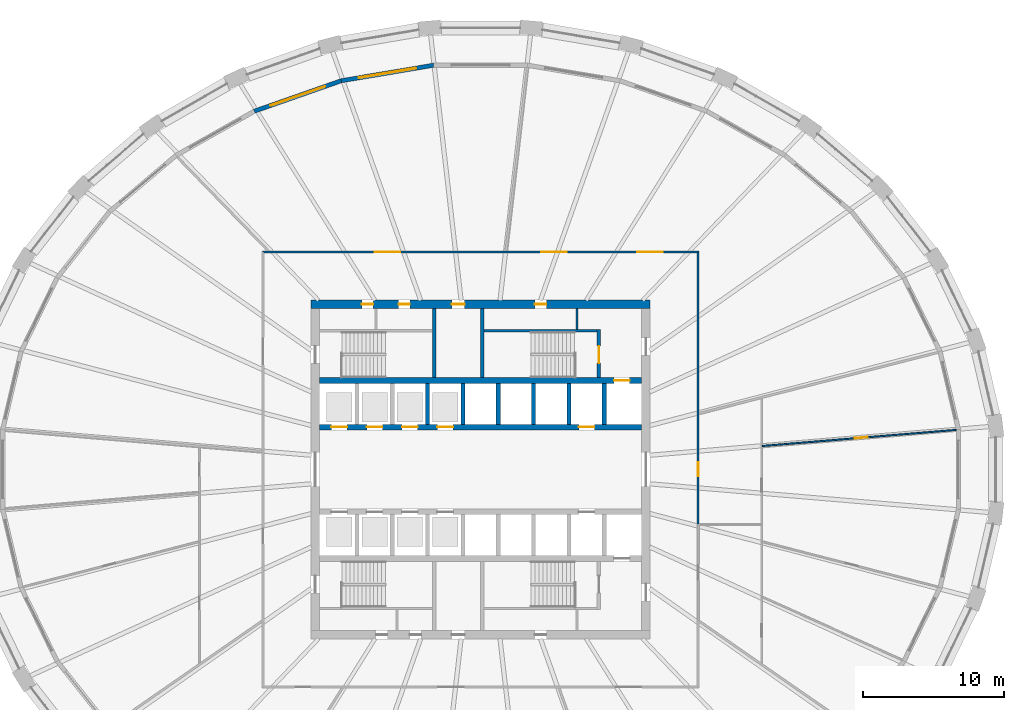
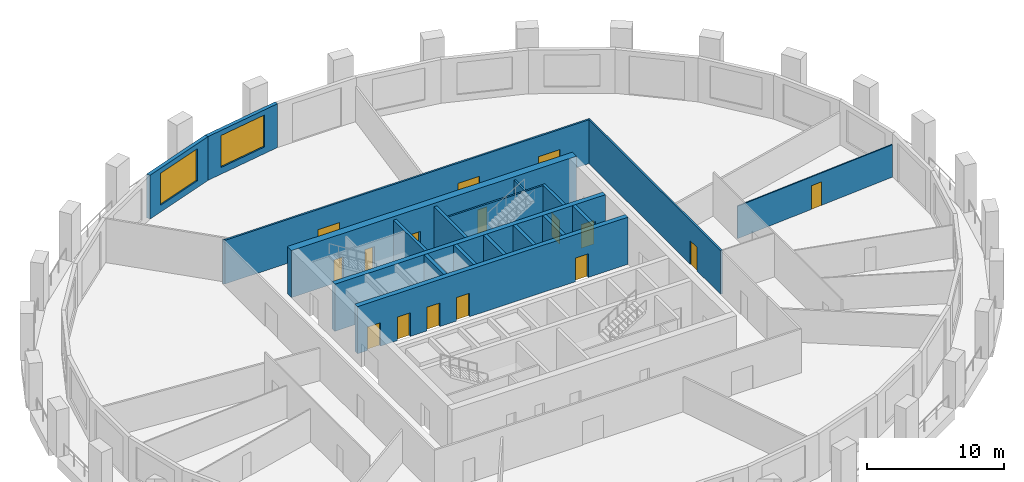
# One storey, part 6 of 11: 19 walls, 16 doors, 2 windows, 18 openings.
"""IFC4 building model written with IfcOpenShell, lengths in metres."""

from ifc_helpers import new_model, si_unit, direction, frame, frame_2d, origin, place, context, subcontext, project, spatial, polyline, rectangle, outline, extrude, material, layer, layer_set, type_object, element, fill, save


model = new_model("IFC4")

# Units and contexts
model_context = context("Model", 3, precision=1e-05, world=origin(), true_north=direction((0.0, 1.0)))
body_context = subcontext(model_context, "Body", "Model", "MODEL_VIEW")
ifc_project = project(units=[si_unit("LENGTHUNIT", "METRE"), si_unit("AREAUNIT", "SQUARE_METRE"), si_unit("VOLUMEUNIT", "CUBIC_METRE"), si_unit("PLANEANGLEUNIT", "RADIAN"), si_unit("MASSUNIT", "GRAM", prefix="KILO")], contexts=[model_context])

# Site, building, storey
site_placement = place(None, origin())
site = spatial("IfcSite", under=ifc_project, at=site_placement, CompositionType="ELEMENT")
building_placement = place(site_placement, origin())
building = spatial("IfcBuilding", under=site, at=building_placement, Name="Halqa Exchange Tower", CompositionType="ELEMENT")
storey_placement = place(building_placement, frame((0.0, 0.0, 73.89990234375)))
storey = spatial("IfcBuildingStorey", under=building, at=storey_placement, Name="L16", CompositionType="ELEMENT", Elevation=73.89990234375)

# Wall, openings, doors
ifc_material_1 = material(Name="Fire-rated gypsum board")
ifc_layer_1 = layer(ifc_material_1, 0.14990234375)
ifc_layer_set_1 = layer_set([ifc_layer_1], Name="Fire-rated gypsum board")
wall_type_1 = type_object("IfcWallType", Name="Fire partition EI 60 150", PredefinedType="PARTITIONING", material=ifc_layer_set_1)
wall_1_placement = place(storey_placement, frame((-15.47509765625, 15.39990234375, 0.0), z_axis=(0.0, 0.0, 1.0), x_axis=(1.0, 0.0, 0.0)))
wall_1 = element("IfcWall", 1, at=wall_1_placement, inside=storey, type_object=wall_type_1, Name="L16-PWL-008", PredefinedType="PARTITIONING", context=body_context, shape_type="SweptSolid", body=[
    extrude(outline(polyline([(0.150146484375, -0.074951171875), (2.065673828125, -0.074951171875), (3.9814453125, -0.074951171875), (5.89697265625, -0.074951171875), (7.8125, -0.074951171875), (9.728271484375, -0.074951171875), (11.643798828125, -0.074951171875), (13.5595703125, -0.074951171875), (15.47509765625, -0.074951171875), (17.390625, -0.074951171875), (19.306396484375, -0.074951171875), (21.221923828125, -0.074951171875), (23.1376953125, -0.074951171875), (25.05322265625, -0.074951171875), (26.96875, -0.074951171875), (28.884521484375, -0.074951171875), (30.800048828125, -0.074951171875), (30.949951171875, 0.074951171875), (29.015625, 0.074951171875), (27.081298828125, 0.074951171875), (25.14697265625, 0.074951171875), (23.21240234375, 0.074951171875), (21.278076171875, 0.074951171875), (19.34375, 0.074951171875), (17.409423828125, 0.074951171875), (15.47509765625, 0.074951171875), (13.540771484375, 0.074951171875), (11.6064453125, 0.074951171875), (9.672119140625, 0.074951171875), (7.73779296875, 0.074951171875), (5.80322265625, 0.074951171875), (3.868896484375, 0.074951171875), (1.9345703125, 0.074951171875), (0.000244140625, 0.074951171875), (0.150146484375, -0.074951171875)])), origin(), (0.0, 0.0, 1.0), 3.900146484375),
])
opening_1_placement = place(wall_1_placement, frame((26.572509765625, 0.0, 0.0)))
opening_1 = element("IfcOpeningElement", 2, at=opening_1_placement, cuts=wall_1, Name="Opening 05-07", PredefinedType="OPENING", context=body_context, shape_type="SweptSolid", body=[
    extrude(rectangle(XDim=1.800048828125, YDim=2.10009765625, at=frame_2d((0.89990234375, 1.050048828125))), frame((0.0, 0.0869140625, 0.0), z_axis=(0.0, -1.0, 0.0), x_axis=(1.0, 0.0, 0.0)), (0.0, 0.0, 1.0), 0.173828125),
])
opening_2_placement = place(wall_1_placement, frame((19.767578125, 0.0, 0.0)))
opening_2 = element("IfcOpeningElement", 3, at=opening_2_placement, cuts=wall_1, Name="Opening 05-08", PredefinedType="OPENING", context=body_context, shape_type="SweptSolid", body=[
    extrude(rectangle(XDim=1.800048828125, YDim=2.10009765625, at=frame_2d((0.89990234375, 1.050048828125))), frame((0.0, 0.0869140625, 0.0), z_axis=(0.0, -1.0, 0.0), x_axis=(1.0, 0.0, 0.0)), (0.0, 0.0, 1.0), 0.173828125),
])
opening_3_placement = place(wall_1_placement, frame((7.9951171875, 0.0, 0.0)))
opening_3 = element("IfcOpeningElement", 4, at=opening_3_placement, cuts=wall_1, Name="Opening 05-09", PredefinedType="OPENING", context=body_context, shape_type="SweptSolid", body=[
    extrude(rectangle(XDim=1.800048828125, YDim=2.10009765625, at=frame_2d((0.89990234375, 1.050048828125))), frame((0.0, 0.0869140625, 0.0), z_axis=(0.0, -1.0, 0.0), x_axis=(1.0, 0.0, 0.0)), (0.0, 0.0, 1.0), 0.173828125),
])
ifc_material_2 = material(Name="Steel fire door leaf", Category="steel")
door_type_1 = type_object("IfcDoorType", Name="Fire door FD30S double 1800 x 2100", OperationType="DOUBLE_DOOR_SINGLE_SWING", PredefinedType="DOOR", material=ifc_material_2)
door_1_placement = place(opening_1_placement, origin())
door_1 = element("IfcDoor", 5, at=door_1_placement, inside=storey, type_object=door_type_1, Name="L16-IDR-007", OperationType="DOUBLE_DOOR_SINGLE_SWING", OverallHeight=2.10009765625, OverallWidth=1.800048828125, PredefinedType="DOOR", context=body_context, shape_type="SweptSolid", body=[
    extrude(rectangle(XDim=1.800048828125, YDim=2.10009765625, at=frame_2d((0.89990234375, 1.050048828125))), frame((0.0, 0.02490234375, 0.0), z_axis=(0.0, -1.0, 0.0), x_axis=(1.0, 0.0, 0.0)), (0.0, 0.0, 1.0), 0.050048828125),
])
fill(opening_1, door_1)
door_2_placement = place(opening_2_placement, origin())
door_2 = element("IfcDoor", 6, at=door_2_placement, inside=storey, type_object=door_type_1, Name="L16-IDR-008", OperationType="DOUBLE_DOOR_SINGLE_SWING", OverallHeight=2.10009765625, OverallWidth=1.800048828125, PredefinedType="DOOR", context=body_context, shape_type="SweptSolid", body=[
    extrude(rectangle(XDim=1.800048828125, YDim=2.10009765625, at=frame_2d((0.89990234375, 1.050048828125))), frame((0.0, 0.02490234375, 0.0), z_axis=(0.0, -1.0, 0.0), x_axis=(1.0, 0.0, 0.0)), (0.0, 0.0, 1.0), 0.050048828125),
])
fill(opening_2, door_2)
door_3_placement = place(opening_3_placement, origin())
door_3 = element("IfcDoor", 7, at=door_3_placement, inside=storey, type_object=door_type_1, Name="L16-IDR-009", OperationType="DOUBLE_DOOR_SINGLE_SWING", OverallHeight=2.10009765625, OverallWidth=1.800048828125, PredefinedType="DOOR", context=body_context, shape_type="SweptSolid", body=[
    extrude(rectangle(XDim=1.800048828125, YDim=2.10009765625, at=frame_2d((0.89990234375, 1.050048828125))), frame((0.0, 0.02490234375, 0.0), z_axis=(0.0, -1.0, 0.0), x_axis=(1.0, 0.0, 0.0)), (0.0, 0.0, 1.0), 0.050048828125),
])
fill(opening_3, door_3)

# Wall, opening, door
wall_2_placement = place(storey_placement, frame((15.39990234375, -3.889892578125, 0.0), z_axis=(0.0, 0.0, 1.0), x_axis=(0.0, 1.0, 0.0)))
wall_2 = element("IfcWall", 8, at=wall_2_placement, inside=storey, type_object=wall_type_1, Name="L16-PWL-016", PredefinedType="PARTITIONING", context=body_context, shape_type="SweptSolid", body=[
    extrude(outline(polyline([(0.0, -0.074951171875), (1.9365234375, -0.074951171875), (3.873046875, -0.074951171875), (5.809326171875, -0.074951171875), (7.745849609375, -0.074951171875), (9.682373046875, -0.074951171875), (11.618896484375, -0.074951171875), (13.555419921875, -0.074951171875), (15.49169921875, -0.074951171875), (17.42822265625, -0.074951171875), (19.36474609375, -0.074951171875), (19.21484375, 0.074951171875), (17.29345703125, 0.074951171875), (15.371826171875, 0.074951171875), (13.450439453125, 0.074951171875), (11.52880859375, 0.074951171875), (9.607421875, 0.074951171875), (7.68603515625, 0.074951171875), (5.764404296875, 0.074951171875), (3.843017578125, 0.074951171875), (1.92138671875, 0.074951171875), (0.0, 0.074951171875), (0.0, -0.074951171875)])), origin(), (0.0, 0.0, 1.0), 3.900146484375),
])
opening_4_placement = place(wall_2_placement, frame((3.419921875, 0.0, 0.0)))
opening_4 = element("IfcOpeningElement", 9, at=opening_4_placement, cuts=wall_2, Name="Opening 05-06", PredefinedType="OPENING", context=body_context, shape_type="SweptSolid", body=[
    extrude(rectangle(XDim=1.0, YDim=2.10009765625, at=frame_2d((0.5, 1.050048828125))), frame((0.0, 0.0869140625, 0.0), z_axis=(0.0, -1.0, 0.0), x_axis=(1.0, 0.0, 0.0)), (0.0, 0.0, 1.0), 0.173828125),
])
door_type_2 = type_object("IfcDoorType", Name="Fire door FD30S 1000 x 2100", OperationType="SINGLE_SWING_LEFT", PredefinedType="DOOR", material=ifc_material_2)
door_4_placement = place(opening_4_placement, frame((1.0, 0.0, 0.0), z_axis=(0.0, 0.0, 1.0), x_axis=(-1.0, 0.0, 0.0)))
door_4 = element("IfcDoor", 10, at=door_4_placement, inside=storey, type_object=door_type_2, Name="L16-IDR-006", OperationType="SINGLE_SWING_RIGHT", OverallHeight=2.10009765625, OverallWidth=1.0, PredefinedType="DOOR", context=body_context, shape_type="SweptSolid", body=[
    extrude(rectangle(XDim=1.0, YDim=2.10009765625, at=frame_2d((0.5, 1.050048828125))), frame((0.0, 0.02490234375, 0.0), z_axis=(0.0, -1.0, 0.0), x_axis=(1.0, 0.0, 0.0)), (0.0, 0.0, 1.0), 0.050048828125),
])
fill(opening_4, door_4)

ifc_material_3 = material(Name="Gypsum board")
ifc_layer_2 = layer(ifc_material_3, 0.10009765625)
ifc_layer_set_2 = layer_set([ifc_layer_2], Name="Gypsum board")
wall_type_2 = type_object("IfcWallType", Name="Partition 100 gypsum", PredefinedType="PARTITIONING", material=ifc_layer_set_2)
wall_3_placement = place(storey_placement, frame((19.9462890625, 1.663818359375, 0.0), z_axis=(0.0, 0.0, 1.0), x_axis=(0.996559566172, 0.082879617945, 0.0)))
wall_3 = element("IfcWall", 11, at=wall_3_placement, inside=storey, type_object=wall_type_2, Name="L16-PWL-022", PredefinedType="PARTITIONING", context=body_context, shape_type="SweptSolid", body=[
    extrude(outline(polyline([(13.765380859375, -0.050048828125), (13.765380859375, 0.0263671875), (13.761962890625, 0.050048828125), (11.797119140625, 0.050048828125), (9.83203125, 0.050048828125), (7.8671875, 0.050048828125), (5.90234375, 0.050048828125), (3.9375, 0.050048828125), (1.97265625, 0.050048828125), (0.0078125, 0.050048828125), (0.0, -0.044677734375), (0.0, -0.050048828125), (1.966552734375, -0.050048828125), (3.932861328125, -0.050048828125), (5.8994140625, -0.050048828125), (7.865966796875, -0.050048828125), (9.83251953125, -0.050048828125), (11.798828125, -0.050048828125), (13.765380859375, -0.050048828125)])), origin(), (0.0, 0.0, 1.0), 2.89208984375),
])
opening_5_placement = place(wall_3_placement, frame((6.562744140625, 0.0, 0.0)))
opening_5 = element("IfcOpeningElement", 12, at=opening_5_placement, cuts=wall_3, Name="Opening 05-17", PredefinedType="OPENING", context=body_context, shape_type="SweptSolid", body=[
    extrude(rectangle(XDim=0.89990234375, YDim=2.10009765625, at=frame_2d((0.449951171875, 1.050048828125))), frame((0.0, 0.06201171875, 0.0), z_axis=(0.0, -1.0, 0.0), x_axis=(1.0, 0.0, 0.0)), (0.0, 0.0, 1.0), 0.1240234375),
])
ifc_material_4 = material(Name="Timber door leaf", Category="wood")
door_type_3 = type_object("IfcDoorType", Name="Door 900 x 2100", OperationType="SINGLE_SWING_LEFT", PredefinedType="DOOR", material=ifc_material_4)
door_5_placement = place(opening_5_placement, origin())
door_5 = element("IfcDoor", 13, at=door_5_placement, inside=storey, type_object=door_type_3, Name="L16-IDR-017", OperationType="SINGLE_SWING_RIGHT", OverallHeight=2.10009765625, OverallWidth=0.89990234375, PredefinedType="DOOR", context=body_context, shape_type="SweptSolid", body=[
    extrude(rectangle(XDim=0.89990234375, YDim=2.10009765625, at=frame_2d((0.449951171875, 1.050048828125))), frame((0.0, 0.02490234375, 0.0), z_axis=(0.0, -1.0, 0.0), x_axis=(1.0, 0.0, 0.0)), (0.0, 0.0, 1.0), 0.050048828125),
])
fill(opening_5, door_5)

# Walls
ifc_layer_3 = layer(ifc_material_3, 0.14990234375)
ifc_layer_set_3 = layer_set([ifc_layer_3], Name="Gypsum board")
wall_type_3 = type_object("IfcWallType", Name="Penthouse riser wall 150 gypsum", PredefinedType="PARTITIONING", material=ifc_layer_set_3)
wall_4_placement = place(storey_placement, frame((6.824951171875, 9.89990234375, 0.0), z_axis=(0.0, 0.0, 1.0), x_axis=(0.0, 1.0, 0.0)))
element("IfcWall", 14, at=wall_4_placement, inside=storey, type_object=wall_type_3, Name="Firefighting lobby west wall N", PredefinedType="PARTITIONING", context=body_context, shape_type="SweptSolid", body=[
    extrude(rectangle(XDim=1.5, YDim=0.14990234375, at=frame_2d((0.75, 0.0))), origin(), (0.0, 0.0, 1.0), 3.900146484375),
])
ifc_material_5 = material(Name="Concrete C60/75", Category="concrete")
ifc_layer_4 = layer(ifc_material_5, 0.300048828125)
ifc_layer_set_4 = layer_set([ifc_layer_4], Name="Concrete C60/75")
wall_type_4 = type_object("IfcWallType", Name="RC core wall 300", PredefinedType="SHEAR", material=ifc_layer_set_4)
for number, where, z_axis, x_axis, name in (
    (15, (-3.75, 3.199951171875, 0.0), (0.0, 0.0, 1.0), (0.0, 1.0, 0.0), "Shaft divider N3"),
    (16, (-1.25, 3.199951171875, 0.0), (0.0, 0.0, 1.0), (0.0, 1.0, 0.0), "Shaft divider N4"),
    (17, (1.25, 3.199951171875, 0.0), (0.0, 0.0, 1.0), (0.0, 1.0, 0.0), "Shaft divider N5"),
    (18, (3.75, 3.199951171875, 0.0), (0.0, 0.0, 1.0), (0.0, 1.0, 0.0), "Shaft divider N6"),
    (19, (6.25, 3.199951171875, 0.0), (0.0, 0.0, 1.0), (0.0, 1.0, 0.0), "Shaft divider N7"),
    (20, (8.75, 3.199951171875, 0.0), (0.0, 0.0, 1.0), (0.0, 1.0, 0.0), "Shaft divider N8"),
):
    element("IfcWall", number, at=place(storey_placement, frame(where, z_axis=z_axis, x_axis=x_axis)), inside=storey, type_object=wall_type_4, Name=name, PredefinedType="SHEAR", context=body_context, shape_type="SweptSolid", body=[
        extrude(rectangle(XDim=2.900146484375, YDim=0.300048828125, at=frame_2d((1.4501953125, 0.0))), origin(), (0.0, 0.0, 1.0), 4.2001953125),
    ])

# Wall, openings, doors
ifc_material_6 = material(Name="Concrete C80/95", Category="concrete")
ifc_layer_5 = layer(ifc_material_6, 0.39990234375)
ifc_layer_set_5 = layer_set([ifc_layer_5], Name="Concrete C80/95")
wall_type_5 = type_object("IfcWallType", Name="RC core wall 400 C80/95", PredefinedType="SHEAR", material=ifc_layer_set_5)
wall_5_placement = place(storey_placement, frame((-11.39990234375, 3.0, 0.0), z_axis=(0.0, 0.0, 1.0), x_axis=(1.0, 0.0, 0.0)))
wall_5 = element("IfcWall", 21, at=wall_5_placement, inside=storey, type_object=wall_type_5, Name="Lift row front wall N", PredefinedType="SHEAR", context=body_context, shape_type="SweptSolid", body=[
    extrude(rectangle(XDim=22.7998046875, YDim=0.39990234375, at=frame_2d((11.39990234375, 0.0))), origin(), (0.0, 0.0, 1.0), 4.2001953125),
])
opening_6_placement = place(wall_5_placement, frame((0.85009765625, 0.0, 0.0)))
opening_6 = element("IfcOpeningElement", 22, at=opening_6_placement, cuts=wall_5, Name="Opening LD-LR1-T05", PredefinedType="OPENING", context=body_context, shape_type="SweptSolid", body=[
    extrude(rectangle(XDim=1.10009765625, YDim=2.10009765625, at=frame_2d((0.550048828125, 1.050048828125))), frame((0.0, 0.2119140625, 0.0), z_axis=(0.0, -1.0, 0.0), x_axis=(1.0, 0.0, 0.0)), (0.0, 0.0, 1.0), 0.423828125),
])
opening_7_placement = place(wall_5_placement, frame((3.35009765625, 0.0, 0.0)))
opening_7 = element("IfcOpeningElement", 23, at=opening_7_placement, cuts=wall_5, Name="Opening LD-LR2-T05", PredefinedType="OPENING", context=body_context, shape_type="SweptSolid", body=[
    extrude(rectangle(XDim=1.10009765625, YDim=2.10009765625, at=frame_2d((0.550048828125, 1.050048828125))), frame((0.0, 0.2119140625, 0.0), z_axis=(0.0, -1.0, 0.0), x_axis=(1.0, 0.0, 0.0)), (0.0, 0.0, 1.0), 0.423828125),
])
opening_8_placement = place(wall_5_placement, frame((5.85009765625, 0.0, 0.0)))
opening_8 = element("IfcOpeningElement", 24, at=opening_8_placement, cuts=wall_5, Name="Opening LD-LR3-T05", PredefinedType="OPENING", context=body_context, shape_type="SweptSolid", body=[
    extrude(rectangle(XDim=1.10009765625, YDim=2.10009765625, at=frame_2d((0.550048828125, 1.050048828125))), frame((0.0, 0.2119140625, 0.0), z_axis=(0.0, -1.0, 0.0), x_axis=(1.0, 0.0, 0.0)), (0.0, 0.0, 1.0), 0.423828125),
])
opening_9_placement = place(wall_5_placement, frame((8.35009765625, 0.0, 0.0)))
opening_9 = element("IfcOpeningElement", 25, at=opening_9_placement, cuts=wall_5, Name="Opening LD-LR4-T05", PredefinedType="OPENING", context=body_context, shape_type="SweptSolid", body=[
    extrude(rectangle(XDim=1.10009765625, YDim=2.10009765625, at=frame_2d((0.550048828125, 1.050048828125))), frame((0.0, 0.2119140625, 0.0), z_axis=(0.0, -1.0, 0.0), x_axis=(1.0, 0.0, 0.0)), (0.0, 0.0, 1.0), 0.423828125),
])
opening_10_placement = place(wall_5_placement, frame((18.35009765625, 0.0, 0.0)))
opening_10 = element("IfcOpeningElement", 26, at=opening_10_placement, cuts=wall_5, Name="Opening LD-SV1-T05", PredefinedType="OPENING", context=body_context, shape_type="SweptSolid", body=[
    extrude(rectangle(XDim=1.10009765625, YDim=2.10009765625, at=frame_2d((0.550048828125, 1.050048828125))), frame((0.0, 0.2119140625, 0.0), z_axis=(0.0, -1.0, 0.0), x_axis=(1.0, 0.0, 0.0)), (0.0, 0.0, 1.0), 0.423828125),
])
ifc_material_7 = material(Name="Stainless steel", Category="steel")
door_type_4 = type_object("IfcDoorType", Name="Lift landing door 1100 x 2100", OperationType="SLIDING_TO_LEFT", PredefinedType="DOOR", material=ifc_material_7)
door_6_placement = place(opening_6_placement, origin())
door_6 = element("IfcDoor", 27, at=door_6_placement, inside=storey, type_object=door_type_4, Name="Lift landing door LR1", OperationType="SLIDING_TO_LEFT", OverallHeight=2.10009765625, OverallWidth=1.10009765625, PredefinedType="DOOR", context=body_context, shape_type="SweptSolid", body=[
    extrude(rectangle(XDim=1.10009765625, YDim=2.10009765625, at=frame_2d((0.550048828125, 1.050048828125))), frame((0.0, 0.02490234375, 0.0), z_axis=(0.0, -1.0, 0.0), x_axis=(1.0, 0.0, 0.0)), (0.0, 0.0, 1.0), 0.050048828125),
])
fill(opening_6, door_6)
door_7_placement = place(opening_7_placement, origin())
door_7 = element("IfcDoor", 28, at=door_7_placement, inside=storey, type_object=door_type_4, Name="Lift landing door LR2", OperationType="SLIDING_TO_LEFT", OverallHeight=2.10009765625, OverallWidth=1.10009765625, PredefinedType="DOOR", context=body_context, shape_type="SweptSolid", body=[
    extrude(rectangle(XDim=1.10009765625, YDim=2.10009765625, at=frame_2d((0.550048828125, 1.050048828125))), frame((0.0, 0.02490234375, 0.0), z_axis=(0.0, -1.0, 0.0), x_axis=(1.0, 0.0, 0.0)), (0.0, 0.0, 1.0), 0.050048828125),
])
fill(opening_7, door_7)
door_8_placement = place(opening_8_placement, origin())
door_8 = element("IfcDoor", 29, at=door_8_placement, inside=storey, type_object=door_type_4, Name="Lift landing door LR3", OperationType="SLIDING_TO_LEFT", OverallHeight=2.10009765625, OverallWidth=1.10009765625, PredefinedType="DOOR", context=body_context, shape_type="SweptSolid", body=[
    extrude(rectangle(XDim=1.10009765625, YDim=2.10009765625, at=frame_2d((0.550048828125, 1.050048828125))), frame((0.0, 0.02490234375, 0.0), z_axis=(0.0, -1.0, 0.0), x_axis=(1.0, 0.0, 0.0)), (0.0, 0.0, 1.0), 0.050048828125),
])
fill(opening_8, door_8)
door_9_placement = place(opening_9_placement, origin())
door_9 = element("IfcDoor", 30, at=door_9_placement, inside=storey, type_object=door_type_4, Name="Lift landing door LR4", OperationType="SLIDING_TO_LEFT", OverallHeight=2.10009765625, OverallWidth=1.10009765625, PredefinedType="DOOR", context=body_context, shape_type="SweptSolid", body=[
    extrude(rectangle(XDim=1.10009765625, YDim=2.10009765625, at=frame_2d((0.550048828125, 1.050048828125))), frame((0.0, 0.02490234375, 0.0), z_axis=(0.0, -1.0, 0.0), x_axis=(1.0, 0.0, 0.0)), (0.0, 0.0, 1.0), 0.050048828125),
])
fill(opening_9, door_9)
door_10_placement = place(opening_10_placement, origin())
door_10 = element("IfcDoor", 31, at=door_10_placement, inside=storey, type_object=door_type_4, Name="Lift landing door SV1", OperationType="SLIDING_TO_LEFT", OverallHeight=2.10009765625, OverallWidth=1.10009765625, PredefinedType="DOOR", context=body_context, shape_type="SweptSolid", body=[
    extrude(rectangle(XDim=1.10009765625, YDim=2.10009765625, at=frame_2d((0.550048828125, 1.050048828125))), frame((0.0, 0.02490234375, 0.0), z_axis=(0.0, -1.0, 0.0), x_axis=(1.0, 0.0, 0.0)), (0.0, 0.0, 1.0), 0.050048828125),
])
fill(opening_10, door_10)

# Wall, opening, door
wall_6_placement = place(storey_placement, frame((-11.39990234375, 6.300048828125, 0.0), z_axis=(0.0, 0.0, 1.0), x_axis=(1.0, 0.0, 0.0)))
wall_6 = element("IfcWall", 32, at=wall_6_placement, inside=storey, type_object=wall_type_5, Name="Lift row back wall N", PredefinedType="SHEAR", context=body_context, shape_type="SweptSolid", body=[
    extrude(rectangle(XDim=22.7998046875, YDim=0.39990234375, at=frame_2d((11.39990234375, 0.0))), origin(), (0.0, 0.0, 1.0), 4.2001953125),
])
opening_11_placement = place(wall_6_placement, frame((20.85009765625, 0.0, 0.0)))
opening_11 = element("IfcOpeningElement", 33, at=opening_11_placement, cuts=wall_6, Name="Opening LD-FF1-T05", PredefinedType="OPENING", context=body_context, shape_type="SweptSolid", body=[
    extrude(rectangle(XDim=1.10009765625, YDim=2.10009765625, at=frame_2d((0.550048828125, 1.050048828125))), frame((0.0, 0.2119140625, 0.0), z_axis=(0.0, -1.0, 0.0), x_axis=(1.0, 0.0, 0.0)), (0.0, 0.0, 1.0), 0.423828125),
])
door_11_placement = place(opening_11_placement, origin())
door_11 = element("IfcDoor", 34, at=door_11_placement, inside=storey, type_object=door_type_4, Name="Lift landing door FF1", OperationType="SLIDING_TO_LEFT", OverallHeight=2.10009765625, OverallWidth=1.10009765625, PredefinedType="DOOR", context=body_context, shape_type="SweptSolid", body=[
    extrude(rectangle(XDim=1.10009765625, YDim=2.10009765625, at=frame_2d((0.550048828125, 1.050048828125))), frame((0.0, 0.02490234375, 0.0), z_axis=(0.0, -1.0, 0.0), x_axis=(1.0, 0.0, 0.0)), (0.0, 0.0, 1.0), 0.050048828125),
])
fill(opening_11, door_11)

# Wall, openings, doors
ifc_layer_6 = layer(ifc_material_6, 0.60009765625)
ifc_layer_set_6 = layer_set([ifc_layer_6], Name="Concrete C80/95")
wall_type_6 = type_object("IfcWallType", Name="RC core wall 600 C80/95", PredefinedType="SHEAR", material=ifc_layer_set_6)
wall_7_placement = place(storey_placement, frame((-12.0, 11.699951171875, 0.0), z_axis=(0.0, 0.0, 1.0), x_axis=(1.0, 0.0, 0.0)))
wall_7 = element("IfcWall", 35, at=wall_7_placement, inside=storey, type_object=wall_type_6, Name="Core wall north", PredefinedType="SHEAR", context=body_context, shape_type="SweptSolid", body=[
    extrude(rectangle(XDim=24.0, YDim=0.60009765625, at=frame_2d((12.0, 0.0))), origin(), (0.0, 0.0, 1.0), 4.2001953125),
])
opening_12_placement = place(wall_7_placement, frame((9.97509765625, 0.0, 0.0)))
opening_12 = element("IfcOpeningElement", 36, at=opening_12_placement, cuts=wall_7, Name="Opening T05-C21", PredefinedType="OPENING", context=body_context, shape_type="SweptSolid", body=[
    extrude(rectangle(XDim=0.89990234375, YDim=2.10009765625, at=frame_2d((0.449951171875, 1.050048828125))), frame((0.0, 0.31201171875, 0.0), z_axis=(0.0, -1.0, 0.0), x_axis=(1.0, 0.0, 0.0)), (0.0, 0.0, 1.0), 0.6240234375),
])
opening_13_placement = place(wall_7_placement, frame((3.60009765625, 0.0, 0.0)))
opening_13 = element("IfcOpeningElement", 37, at=opening_13_placement, cuts=wall_7, Name="Opening T05-C22", PredefinedType="OPENING", context=body_context, shape_type="SweptSolid", body=[
    extrude(rectangle(XDim=0.800048828125, YDim=2.10009765625, at=frame_2d((0.39990234375, 1.050048828125))), frame((0.0, 0.31201171875, 0.0), z_axis=(0.0, -1.0, 0.0), x_axis=(1.0, 0.0, 0.0)), (0.0, 0.0, 1.0), 0.6240234375),
])
opening_14_placement = place(wall_7_placement, frame((6.199951171875, 0.0, 0.0)))
opening_14 = element("IfcOpeningElement", 38, at=opening_14_placement, cuts=wall_7, Name="Opening T05-C23", PredefinedType="OPENING", context=body_context, shape_type="SweptSolid", body=[
    extrude(rectangle(XDim=0.800048828125, YDim=2.10009765625, at=frame_2d((0.39990234375, 1.050048828125))), frame((0.0, 0.31201171875, 0.0), z_axis=(0.0, -1.0, 0.0), x_axis=(1.0, 0.0, 0.0)), (0.0, 0.0, 1.0), 0.6240234375),
])
opening_15_placement = place(wall_7_placement, frame((15.85009765625, 0.0, 0.0)))
opening_15 = element("IfcOpeningElement", 39, at=opening_15_placement, cuts=wall_7, Name="Opening T05-C24", PredefinedType="OPENING", context=body_context, shape_type="SweptSolid", body=[
    extrude(rectangle(XDim=0.800048828125, YDim=2.10009765625, at=frame_2d((0.39990234375, 1.050048828125))), frame((0.0, 0.31201171875, 0.0), z_axis=(0.0, -1.0, 0.0), x_axis=(1.0, 0.0, 0.0)), (0.0, 0.0, 1.0), 0.6240234375),
])
ifc_material_8 = material(Name="Timber fire door leaf", Category="wood")
door_type_5 = type_object("IfcDoorType", Name="Core room door FD30 900 x 2100", OperationType="SINGLE_SWING_LEFT", PredefinedType="DOOR", material=ifc_material_8)
door_12_placement = place(opening_12_placement, frame((0.89990234375, 0.0, 0.0), z_axis=(0.0, 0.0, 1.0), x_axis=(-1.0, 0.0, 0.0)))
door_12 = element("IfcDoor", 40, at=door_12_placement, inside=storey, type_object=door_type_5, Name="Core room door", OperationType="SINGLE_SWING_LEFT", OverallHeight=2.10009765625, OverallWidth=0.89990234375, PredefinedType="DOOR", context=body_context, shape_type="SweptSolid", body=[
    extrude(rectangle(XDim=0.89990234375, YDim=2.10009765625, at=frame_2d((0.449951171875, 1.050048828125))), frame((0.0, 0.02490234375, 0.0), z_axis=(0.0, -1.0, 0.0), x_axis=(1.0, 0.0, 0.0)), (0.0, 0.0, 1.0), 0.050048828125),
])
fill(opening_12, door_12)
door_type_6 = type_object("IfcDoorType", Name="Riser door FD60 800 x 2100", OperationType="SINGLE_SWING_LEFT", PredefinedType="DOOR", material=ifc_material_2)
door_13_placement = place(opening_13_placement, frame((0.800048828125, 0.0, 0.0), z_axis=(0.0, 0.0, 1.0), x_axis=(-1.0, 0.0, 0.0)))
door_13 = element("IfcDoor", 41, at=door_13_placement, inside=storey, type_object=door_type_6, Name="Core room door", OperationType="SINGLE_SWING_RIGHT", OverallHeight=2.10009765625, OverallWidth=0.800048828125, PredefinedType="DOOR", context=body_context, shape_type="SweptSolid", body=[
    extrude(rectangle(XDim=0.800048828125, YDim=2.10009765625, at=frame_2d((0.39990234375, 1.050048828125))), frame((0.0, 0.02490234375, 0.0), z_axis=(0.0, -1.0, 0.0), x_axis=(1.0, 0.0, 0.0)), (0.0, 0.0, 1.0), 0.050048828125),
])
fill(opening_13, door_13)
door_14_placement = place(opening_14_placement, frame((0.800048828125, 0.0, 0.0), z_axis=(0.0, 0.0, 1.0), x_axis=(-1.0, 0.0, 0.0)))
door_14 = element("IfcDoor", 42, at=door_14_placement, inside=storey, type_object=door_type_6, Name="Core room door", OperationType="SINGLE_SWING_LEFT", OverallHeight=2.10009765625, OverallWidth=0.800048828125, PredefinedType="DOOR", context=body_context, shape_type="SweptSolid", body=[
    extrude(rectangle(XDim=0.800048828125, YDim=2.10009765625, at=frame_2d((0.39990234375, 1.050048828125))), frame((0.0, 0.02490234375, 0.0), z_axis=(0.0, -1.0, 0.0), x_axis=(1.0, 0.0, 0.0)), (0.0, 0.0, 1.0), 0.050048828125),
])
fill(opening_14, door_14)
door_15_placement = place(opening_15_placement, frame((0.800048828125, 0.0, 0.0), z_axis=(0.0, 0.0, 1.0), x_axis=(-1.0, 0.0, 0.0)))
door_15 = element("IfcDoor", 43, at=door_15_placement, inside=storey, type_object=door_type_6, Name="Core room door", OperationType="SINGLE_SWING_RIGHT", OverallHeight=2.10009765625, OverallWidth=0.800048828125, PredefinedType="DOOR", context=body_context, shape_type="SweptSolid", body=[
    extrude(rectangle(XDim=0.800048828125, YDim=2.10009765625, at=frame_2d((0.39990234375, 1.050048828125))), frame((0.0, 0.02490234375, 0.0), z_axis=(0.0, -1.0, 0.0), x_axis=(1.0, 0.0, 0.0)), (0.0, 0.0, 1.0), 0.050048828125),
])
fill(opening_15, door_15)

# Walls
ifc_material_9 = material(Name="Concrete C30/37", Category="concrete")
ifc_layer_7 = layer(ifc_material_9, 0.14990234375)
ifc_layer_set_7 = layer_set([ifc_layer_7], Name="Concrete C30/37")
wall_type_7 = type_object("IfcWallType", Name="RC stair wall 150 C30/37", PredefinedType="SHEAR", material=ifc_layer_set_7)
wall_8_placement = place(storey_placement, frame((0.25, 9.824951171875, 0.0), z_axis=(0.0, 0.0, 1.0), x_axis=(1.0, 0.0, 0.0)))
element("IfcWall", 44, at=wall_8_placement, inside=storey, type_object=wall_type_7, Name="Stair ST2 north wall N", PredefinedType="SHEAR", context=body_context, shape_type="SweptSolid", body=[
    extrude(rectangle(XDim=8.0, YDim=0.14990234375, at=frame_2d((4.0, 0.0))), origin(), (0.0, 0.0, 1.0), 3.900146484375),
])
ifc_layer_8 = layer(ifc_material_9, 0.25)
ifc_layer_set_8 = layer_set([ifc_layer_8], Name="Concrete C30/37")
wall_type_8 = type_object("IfcWallType", Name="RC stair wall 250 C30/37", PredefinedType="SHEAR", material=ifc_layer_set_8)
for number, where, z_axis, x_axis, name in (
    (45, (-3.27490234375, 6.5, 0.0), (0.0, 0.0, 1.0), (0.0, 1.0, 0.0), "Stair ST1 east wall N"),
    (46, (0.125, 6.5, 0.0), (0.0, 0.0, 1.0), (0.0, 1.0, 0.0), "Stair ST2 west wall N"),
):
    element("IfcWall", number, at=place(storey_placement, frame(where, z_axis=z_axis, x_axis=x_axis)), inside=storey, type_object=wall_type_8, Name=name, PredefinedType="SHEAR", context=body_context, shape_type="SweptSolid", body=[
        extrude(rectangle(XDim=4.89990234375, YDim=0.25, at=frame_2d((2.449951171875, 0.0))), origin(), (0.0, 0.0, 1.0), 3.900146484375),
    ])

# Wall, opening, door
wall_9_placement = place(storey_placement, frame((8.375, 6.5, 0.0), z_axis=(0.0, 0.0, 1.0), x_axis=(0.0, 1.0, 0.0)))
wall_9 = element("IfcWall", 47, at=wall_9_placement, inside=storey, type_object=wall_type_8, Name="Stair ST2 east wall N", PredefinedType="SHEAR", context=body_context, shape_type="SweptSolid", body=[
    extrude(rectangle(XDim=3.39990234375, YDim=0.25, at=frame_2d((1.699951171875, 0.0))), origin(), (0.0, 0.0, 1.0), 3.900146484375),
])
opening_16_placement = place(wall_9_placement, frame((1.02490234375, 0.0, 0.0)))
opening_16 = element("IfcOpeningElement", 48, at=opening_16_placement, cuts=wall_9, Name="Opening T05-C16", PredefinedType="OPENING", context=body_context, shape_type="SweptSolid", body=[
    extrude(rectangle(XDim=1.199951171875, YDim=2.10009765625, at=frame_2d((0.60009765625, 1.050048828125))), frame((0.0, 0.136962890625, 0.0), z_axis=(0.0, -1.0, 0.0), x_axis=(1.0, 0.0, 0.0)), (0.0, 0.0, 1.0), 0.27392578125),
])
door_type_7 = type_object("IfcDoorType", Name="Stair door FD90 1200 x 2100", OperationType="SINGLE_SWING_LEFT", PredefinedType="DOOR", material=ifc_material_2)
door_16_placement = place(opening_16_placement, origin())
door_16 = element("IfcDoor", 49, at=door_16_placement, inside=storey, type_object=door_type_7, Name="Stair door ST2", OperationType="SINGLE_SWING_RIGHT", OverallHeight=2.10009765625, OverallWidth=1.199951171875, PredefinedType="DOOR", context=body_context, shape_type="SweptSolid", body=[
    extrude(rectangle(XDim=1.199951171875, YDim=2.10009765625, at=frame_2d((0.60009765625, 1.050048828125))), frame((0.0, 0.02490234375, 0.0), z_axis=(0.0, -1.0, 0.0), x_axis=(1.0, 0.0, 0.0)), (0.0, 0.0, 1.0), 0.050048828125),
])
fill(opening_16, door_16)

# Wall, opening, window
ifc_material_10 = material(Name="Limestone cladding", Category="masonry")
ifc_layer_9 = layer(ifc_material_10, 0.0400390625)
ifc_material_11 = material(Name="Ventilated cavity")
ifc_layer_10 = layer(ifc_material_11, 0.030029296875, ventilated=True)
ifc_material_12 = material(Name="Mineral wool insulation")
ifc_layer_11 = layer(ifc_material_12, 0.10009765625)
ifc_layer_12 = layer(ifc_material_9, 0.10009765625)
ifc_material_13 = material(Name="Internal plaster")
ifc_layer_13 = layer(ifc_material_13, 0.030029296875)
ifc_layer_set_9 = layer_set([ifc_layer_9, ifc_layer_10, ifc_layer_11, ifc_layer_12, ifc_layer_13], Name="Stone-faced insulated wall 300")
wall_type_9 = type_object("IfcWallType", Name="Stone-faced insulated wall 300", PredefinedType="STANDARD", material=ifc_layer_set_9)
wall_10_placement = place(storey_placement, frame((-3.32861328125, 28.61083984375, 0.0), z_axis=(0.0, 0.0, 1.0), x_axis=(-0.986157735925, -0.165809890767, 0.0)))
wall_10 = element("IfcWall", 50, at=wall_10_placement, inside=storey, type_object=wall_type_9, Name="Glass-line wall 9", PredefinedType="STANDARD", context=body_context, shape_type="SweptSolid", body=[
    extrude(outline(polyline([(-0.012451171875, -0.14990234375), (6.634033203125, -0.14990234375), (6.608642578125, 0.14990234375), (0.012451171875, 0.14990234375), (-0.012451171875, -0.14990234375)])), origin(), (0.0, 0.0, 1.0), 3.900146484375),
])
opening_17_placement = place(wall_10_placement, frame((1.2607421875, 0.0, 0.60009765625)))
opening_17 = element("IfcOpeningElement", 51, at=opening_17_placement, cuts=wall_10, Name="Opening W-F1-09", PredefinedType="OPENING", context=body_context, shape_type="SweptSolid", body=[
    extrude(rectangle(XDim=4.10009765625, YDim=2.85009765625, at=frame_2d((2.050048828125, 1.425048828125))), frame((0.0, 0.162109375, 0.0), z_axis=(0.0, -1.0, 0.0), x_axis=(1.0, 0.0, 0.0)), (0.0, 0.0, 1.0), 0.323974609375),
])
ifc_material_14 = material(Name="Clear low-emissivity glass in aluminium frame", Category="aluminium")
window_type = type_object("IfcWindowType", Name="Fixed clear glazed window 4100 x 2850", PartitioningType="TRIPLE_PANEL_VERTICAL", PredefinedType="WINDOW", material=ifc_material_14)
window_1_placement = place(opening_17_placement, origin())
window_1 = element("IfcWindow", 52, at=window_1_placement, inside=storey, type_object=window_type, Name="Window 1", OverallHeight=2.85009765625, OverallWidth=4.10009765625, PartitioningType="TRIPLE_PANEL_VERTICAL", PredefinedType="WINDOW", context=body_context, shape_type="SweptSolid", body=[
    extrude(rectangle(XDim=4.10009765625, YDim=2.85009765625, at=frame_2d((2.050048828125, 1.425048828125))), frame((0.0, 0.030029296875, 0.0), z_axis=(0.0, -1.0, 0.0), x_axis=(1.0, 0.0, 0.0)), (0.0, 0.0, 1.0), 0.06005859375),
])
fill(opening_17, window_1)

wall_11_placement = place(storey_placement, frame((-9.8583984375, 27.512939453125, 0.0), z_axis=(0.0, 0.0, 1.0), x_axis=(-0.943815136299, -0.330473884736, 0.0)))
wall_11 = element("IfcWall", 53, at=wall_11_placement, inside=storey, type_object=wall_type_9, Name="Glass-line wall 10", PredefinedType="STANDARD", context=body_context, shape_type="SweptSolid", body=[
    extrude(outline(polyline([(-0.0126953125, -0.14990234375), (6.531494140625, -0.14990234375), (6.504638671875, 0.14990234375), (0.0126953125, 0.14990234375), (-0.0126953125, -0.14990234375)])), origin(), (0.0, 0.0, 1.0), 3.900146484375),
])
opening_18_placement = place(wall_11_placement, frame((1.208984375, 0.0, 0.60009765625)))
opening_18 = element("IfcOpeningElement", 54, at=opening_18_placement, cuts=wall_11, Name="Opening W-F1-10", PredefinedType="OPENING", context=body_context, shape_type="SweptSolid", body=[
    extrude(rectangle(XDim=4.10009765625, YDim=2.85009765625, at=frame_2d((2.050048828125, 1.425048828125))), frame((0.0, 0.162109375, 0.0), z_axis=(0.0, -1.0, 0.0), x_axis=(1.0, 0.0, 0.0)), (0.0, 0.0, 1.0), 0.323974609375),
])
window_2_placement = place(opening_18_placement, origin())
window_2 = element("IfcWindow", 55, at=window_2_placement, inside=storey, type_object=window_type, Name="Window 1", OverallHeight=2.85009765625, OverallWidth=4.10009765625, PartitioningType="TRIPLE_PANEL_VERTICAL", PredefinedType="WINDOW", context=body_context, shape_type="SweptSolid", body=[
    extrude(rectangle(XDim=4.10009765625, YDim=2.85009765625, at=frame_2d((2.050048828125, 1.425048828125))), frame((0.0, 0.030029296875, 0.0), z_axis=(0.0, -1.0, 0.0), x_axis=(1.0, 0.0, 0.0)), (0.0, 0.0, 1.0), 0.06005859375),
])
fill(opening_18, window_2)

save(model, "model.ifc")
